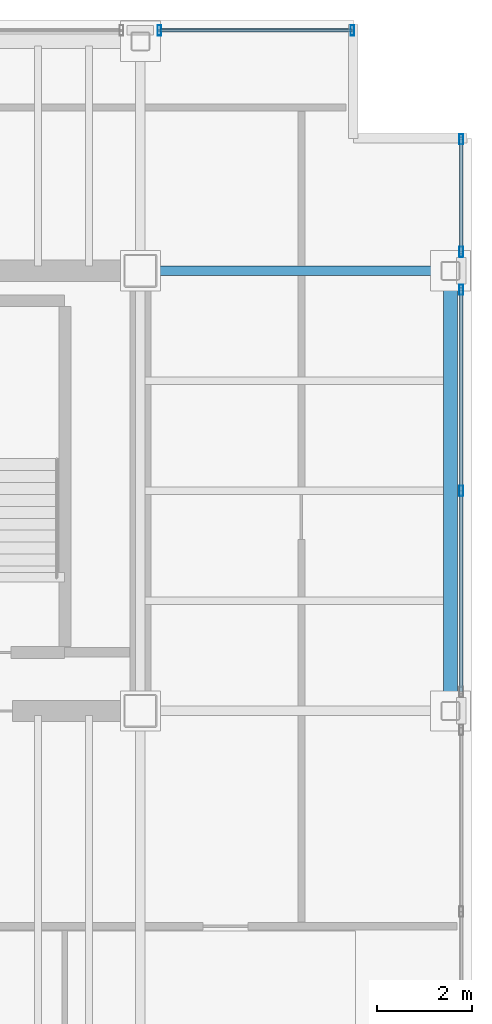
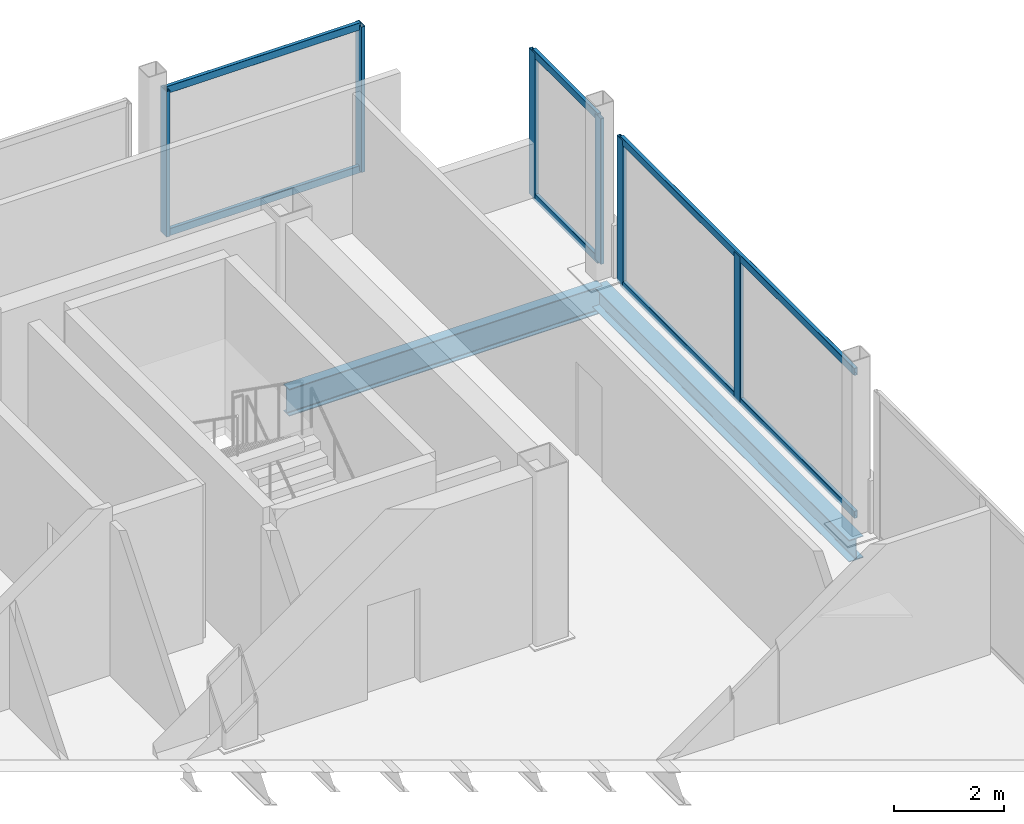
# One storey, part 12 of 17: 12 members, 2 beams, 3 elements without a shape of their own.
"""IFC4 building model written with IfcOpenShell, lengths in metres."""

from ifc_helpers import new_model, si_unit, direction, frame, origin, origin_2d, place, context, subcontext, project, spatial, hollow_rectangle, i_section, extrude, material, material_profile, profile_set, type_object, element, aggregate, save


model = new_model("IFC4")

# Units and contexts
model_context = context("Model", 3, precision=1e-05, world=origin(), true_north=direction((0.0, 1.0)))
body_context = subcontext(model_context, "Body", "Model", "MODEL_VIEW")
ifc_project = project(units=[si_unit("LENGTHUNIT", "METRE"), si_unit("AREAUNIT", "SQUARE_METRE"), si_unit("VOLUMEUNIT", "CUBIC_METRE"), si_unit("PLANEANGLEUNIT", "RADIAN"), si_unit("MASSUNIT", "GRAM", prefix="KILO")], contexts=[model_context])

# Site, building, storey
site_placement = place(None, origin())
site = spatial("IfcSite", under=ifc_project, at=site_placement, CompositionType="ELEMENT")
building_placement = place(site_placement, origin())
building = spatial("IfcBuilding", under=site, at=building_placement, Name="Noeulbin Bourse Tower", CompositionType="ELEMENT")
storey_placement = place(building_placement, frame((0.0, 0.0, 289.10009765625)))
storey = spatial("IfcBuildingStorey", under=building, at=storey_placement, Name="L72", CompositionType="ELEMENT", Elevation=289.10009765625)

# Beams
ifc_material_1 = material(Name="Steel S355", Category="steel")
ifc_material_profile_1 = material_profile(ifc_material_1, i_section(OverallWidth=0.199951171875, OverallDepth=0.60009765625, WebThickness=0.010986328125, FlangeThickness=0.01708984375, FilletRadius=0.02197265625, at=origin_2d()), Name="H-600x200x11x17", Category="LoadBearing")
ifc_profile_set_1 = profile_set([ifc_material_profile_1], Name="Steel S355")
beam_type_1 = type_object("IfcBeamType", Name="BM-GRD-600", PredefinedType="USERDEFINED", material=ifc_profile_set_1)
beam_1_placement = place(storey_placement, frame((44.0, 38.300048828125, -0.47998046875), z_axis=(1.0, 0.0, 0.0), x_axis=(0.0, 1.0, 0.0)))
element("IfcBeam", 1, at=beam_1_placement, inside=storey, type_object=beam_type_1, Name="Tower Primary Girder EW L72-3.4", ObjectType="GIRDER", PredefinedType="USERDEFINED", context=body_context, shape_type="SweptSolid", body=[
    extrude(i_section(OverallWidth=0.199951171875, OverallDepth=0.60009765625, WebThickness=0.010986328125, FlangeThickness=0.01708984375, FilletRadius=0.02197265625, at=origin_2d()), origin(), (0.0, 0.0, 1.0), 6.550048828125),
])
ifc_material_profile_2 = material_profile(ifc_material_1, i_section(OverallWidth=0.300048828125, OverallDepth=0.488037109375, WebThickness=0.010986328125, FlangeThickness=0.01806640625, FilletRadius=0.02197265625, at=origin_2d()), Name="H-488x300x11x18", Category="LoadBearing")
ifc_profile_set_2 = profile_set([ifc_material_profile_2], Name="Steel S355")
beam_type_2 = type_object("IfcBeamType", Name="BM-SPN-488", PredefinedType="SPANDREL", material=ifc_profile_set_2)
beam_2_placement = place(storey_placement, frame((50.550048828125, 29.0, -0.424072265625), z_axis=(0.0, 1.0, 0.0), x_axis=(-1.0, 0.0, 0.0)))
element("IfcBeam", 2, at=beam_2_placement, inside=storey, type_object=beam_type_2, Name="East Spandrel L72-1", PredefinedType="SPANDREL", context=body_context, shape_type="SweptSolid", body=[
    extrude(i_section(OverallWidth=0.300048828125, OverallDepth=0.488037109375, WebThickness=0.010986328125, FlangeThickness=0.01806640625, FilletRadius=0.02197265625, at=origin_2d()), origin(), (0.0, 0.0, 1.0), 9.300048828125),
])

# Curtain wall, members
ifc_material_2 = material(Name="High-Selectivity Low-Iron Glazing", Category="glass")
curtain_wall_type = type_object("IfcCurtainWallType", Name="CW-SYS-4", PredefinedType="NOTDEFINED", material=ifc_material_2)
curtain_wall_1_placement = place(storey_placement, origin())
curtain_wall_1 = element("IfcCurtainWall", 3, at=curtain_wall_1_placement, inside=storey, type_object=curtain_wall_type, Name="Unitised Curtain Wall CW-L72-N-S5", PredefinedType="NOTDEFINED")
ifc_material_3 = material(Name="Anodised Aluminium 6063-T6", Category="aluminium")
ifc_material_profile_3 = material_profile(ifc_material_3, hollow_rectangle(XDim=0.074951171875, YDim=0.219970703125, WallThickness=0.0048828125, InnerFilletRadius=0.00244140625, OuterFilletRadius=0.0048828125, at=origin_2d()), Name="ALU-MULL-75x220x5", Category="LoadBearing")
ifc_profile_set_3 = profile_set([ifc_material_profile_3], Name="Anodised Aluminium 6063-T6")
member_type_1 = type_object("IfcMemberType", Name="CW-SYS-4-MUL", PredefinedType="MULLION", material=ifc_profile_set_3)
member_1_placement = place(storey_placement, frame((44.39990234375, 43.3798828125, -0.02001953125), z_axis=(0.0, 0.0, 1.0), x_axis=(1.0, 0.0, 0.0)))
member_1 = element("IfcMember", 4, at=member_1_placement, type_object=member_type_1, Name="Curtain Wall Mullion CW-L72-N-S5-M00", PredefinedType="MULLION", context=body_context, shape_type="SweptSolid", body=[
    extrude(hollow_rectangle(XDim=0.074951171875, YDim=0.219970703125, WallThickness=0.0048828125, InnerFilletRadius=0.00244140625, OuterFilletRadius=0.0048828125, at=origin_2d()), origin(), (0.0, 0.0, 1.0), 3.219970703125),
])
member_2_placement = place(storey_placement, frame((48.47998046875, 43.3798828125, -0.02001953125), z_axis=(0.0, 0.0, 1.0), x_axis=(1.0, 0.0, 0.0)))
member_2 = element("IfcMember", 5, at=member_2_placement, type_object=member_type_1, Name="Curtain Wall Mullion CW-L72-N-S5-M01", PredefinedType="MULLION", context=body_context, shape_type="SweptSolid", body=[
    extrude(hollow_rectangle(XDim=0.074951171875, YDim=0.219970703125, WallThickness=0.0048828125, InnerFilletRadius=0.00244140625, OuterFilletRadius=0.0048828125, at=origin_2d()), origin(), (0.0, 0.0, 1.0), 3.219970703125),
])

curtain_wall_2_placement = place(storey_placement, origin())
curtain_wall_2 = element("IfcCurtainWall", 6, at=curtain_wall_2_placement, inside=storey, type_object=curtain_wall_type, Name="Unitised Curtain Wall CW-L72-E-S2", PredefinedType="NOTDEFINED")
member_3_placement = place(storey_placement, frame((50.780029296875, 33.64990234375, -0.02001953125), z_axis=(0.0, 0.0, 1.0), x_axis=(1.0, 0.0, 0.0)))
member_3 = element("IfcMember", 7, at=member_3_placement, type_object=member_type_1, Name="Curtain Wall Mullion CW-L72-E-S2-M01", PredefinedType="MULLION", context=body_context, shape_type="SweptSolid", body=[
    extrude(hollow_rectangle(XDim=0.074951171875, YDim=0.219970703125, WallThickness=0.0048828125, InnerFilletRadius=0.00244140625, OuterFilletRadius=0.0048828125, at=origin_2d()), origin(), (0.0, 0.0, 1.0), 3.219970703125),
])
member_4_placement = place(storey_placement, frame((50.780029296875, 37.89990234375, -0.02001953125), z_axis=(0.0, 0.0, 1.0), x_axis=(1.0, 0.0, 0.0)))
member_4 = element("IfcMember", 8, at=member_4_placement, type_object=member_type_1, Name="Curtain Wall Mullion CW-L72-E-S2-M02", PredefinedType="MULLION", context=body_context, shape_type="SweptSolid", body=[
    extrude(hollow_rectangle(XDim=0.074951171875, YDim=0.219970703125, WallThickness=0.0048828125, InnerFilletRadius=0.00244140625, OuterFilletRadius=0.0048828125, at=origin_2d()), origin(), (0.0, 0.0, 1.0), 3.219970703125),
])

curtain_wall_3_placement = place(storey_placement, origin())
curtain_wall_3 = element("IfcCurtainWall", 9, at=curtain_wall_3_placement, inside=storey, type_object=curtain_wall_type, Name="Unitised Curtain Wall CW-L72-E-S3", PredefinedType="NOTDEFINED")
member_5_placement = place(storey_placement, frame((50.780029296875, 38.699951171875, -0.02001953125), z_axis=(0.0, 0.0, 1.0), x_axis=(1.0, 0.0, 0.0)))
member_5 = element("IfcMember", 10, at=member_5_placement, type_object=member_type_1, Name="Curtain Wall Mullion CW-L72-E-S3-M00", PredefinedType="MULLION", context=body_context, shape_type="SweptSolid", body=[
    extrude(hollow_rectangle(XDim=0.074951171875, YDim=0.219970703125, WallThickness=0.0048828125, InnerFilletRadius=0.00244140625, OuterFilletRadius=0.0048828125, at=origin_2d()), origin(), (0.0, 0.0, 1.0), 3.219970703125),
])
member_6_placement = place(storey_placement, frame((50.780029296875, 41.080078125, -0.02001953125), z_axis=(0.0, 0.0, 1.0), x_axis=(1.0, 0.0, 0.0)))
member_6 = element("IfcMember", 11, at=member_6_placement, type_object=member_type_1, Name="Curtain Wall Mullion CW-L72-E-S3-M01", PredefinedType="MULLION", context=body_context, shape_type="SweptSolid", body=[
    extrude(hollow_rectangle(XDim=0.074951171875, YDim=0.219970703125, WallThickness=0.0048828125, InnerFilletRadius=0.00244140625, OuterFilletRadius=0.0048828125, at=origin_2d()), origin(), (0.0, 0.0, 1.0), 3.219970703125),
])

# Member
ifc_material_profile_4 = material_profile(ifc_material_3, hollow_rectangle(XDim=0.074951171875, YDim=0.159912109375, WallThickness=0.0048828125, InnerFilletRadius=0.00244140625, OuterFilletRadius=0.0048828125, at=origin_2d()), Name="ALU-TRAN-75x160x5", Category="LoadBearing")
ifc_profile_set_4 = profile_set([ifc_material_profile_4], Name="Anodised Aluminium 6063-T6")
member_type_2 = type_object("IfcMemberType", Name="CW-SYS-4-TRN", PredefinedType="USERDEFINED", material=ifc_profile_set_4)
member_7_placement = place(storey_placement, frame((44.409912109375, 43.3798828125, 0.010009765625), z_axis=(1.0, 0.0, 0.0), x_axis=(0.0, 1.0, 0.0)))
member_7 = element("IfcMember", 12, at=member_7_placement, type_object=member_type_2, Name="Curtain Wall Transom CW-L72-N-S5-T00", ObjectType="TRANSOM", PredefinedType="USERDEFINED", context=body_context, shape_type="SweptSolid", body=[
    extrude(hollow_rectangle(XDim=0.074951171875, YDim=0.159912109375, WallThickness=0.0048828125, InnerFilletRadius=0.00244140625, OuterFilletRadius=0.0048828125, at=origin_2d()), origin(), (0.0, 0.0, 1.0), 4.06005859375),
])

member_8_placement = place(storey_placement, frame((44.409912109375, 43.3798828125, 3.169921875), z_axis=(1.0, 0.0, 0.0), x_axis=(0.0, 1.0, 0.0)))
member_8 = element("IfcMember", 13, at=member_8_placement, type_object=member_type_2, Name="Curtain Wall Transom CW-L72-N-S5-T01", ObjectType="TRANSOM", PredefinedType="USERDEFINED", context=body_context, shape_type="SweptSolid", body=[
    extrude(hollow_rectangle(XDim=0.074951171875, YDim=0.159912109375, WallThickness=0.0048828125, InnerFilletRadius=0.00244140625, OuterFilletRadius=0.0048828125, at=origin_2d()), origin(), (0.0, 0.0, 1.0), 4.06005859375),
])

aggregate(curtain_wall_1, [member_1, member_2, member_7, member_8])

member_9_placement = place(storey_placement, frame((50.780029296875, 29.409912109375, 0.010009765625), z_axis=(0.0, 1.0, 0.0), x_axis=(-1.0, 0.0, 0.0)))
member_9 = element("IfcMember", 14, at=member_9_placement, type_object=member_type_2, Name="Curtain Wall Transom CW-L72-E-S2-T00", ObjectType="TRANSOM", PredefinedType="USERDEFINED", context=body_context, shape_type="SweptSolid", body=[
    extrude(hollow_rectangle(XDim=0.074951171875, YDim=0.159912109375, WallThickness=0.0048828125, InnerFilletRadius=0.00244140625, OuterFilletRadius=0.0048828125, at=origin_2d()), origin(), (0.0, 0.0, 1.0), 8.47998046875),
])

member_10_placement = place(storey_placement, frame((50.780029296875, 29.409912109375, 3.169921875), z_axis=(0.0, 1.0, 0.0), x_axis=(-1.0, 0.0, 0.0)))
member_10 = element("IfcMember", 15, at=member_10_placement, type_object=member_type_2, Name="Curtain Wall Transom CW-L72-E-S2-T01", ObjectType="TRANSOM", PredefinedType="USERDEFINED", context=body_context, shape_type="SweptSolid", body=[
    extrude(hollow_rectangle(XDim=0.074951171875, YDim=0.159912109375, WallThickness=0.0048828125, InnerFilletRadius=0.00244140625, OuterFilletRadius=0.0048828125, at=origin_2d()), origin(), (0.0, 0.0, 1.0), 8.47998046875),
])

aggregate(curtain_wall_2, [member_3, member_4, member_9, member_10])

member_11_placement = place(storey_placement, frame((50.780029296875, 38.7099609375, 0.010009765625), z_axis=(0.0, 1.0, 0.0), x_axis=(-1.0, 0.0, 0.0)))
member_11 = element("IfcMember", 16, at=member_11_placement, type_object=member_type_2, Name="Curtain Wall Transom CW-L72-E-S3-T00", ObjectType="TRANSOM", PredefinedType="USERDEFINED", context=body_context, shape_type="SweptSolid", body=[
    extrude(hollow_rectangle(XDim=0.074951171875, YDim=0.159912109375, WallThickness=0.0048828125, InnerFilletRadius=0.00244140625, OuterFilletRadius=0.0048828125, at=origin_2d()), origin(), (0.0, 0.0, 1.0), 2.360107421875),
])

member_12_placement = place(storey_placement, frame((50.780029296875, 38.7099609375, 3.169921875), z_axis=(0.0, 1.0, 0.0), x_axis=(-1.0, 0.0, 0.0)))
member_12 = element("IfcMember", 17, at=member_12_placement, type_object=member_type_2, Name="Curtain Wall Transom CW-L72-E-S3-T01", ObjectType="TRANSOM", PredefinedType="USERDEFINED", context=body_context, shape_type="SweptSolid", body=[
    extrude(hollow_rectangle(XDim=0.074951171875, YDim=0.159912109375, WallThickness=0.0048828125, InnerFilletRadius=0.00244140625, OuterFilletRadius=0.0048828125, at=origin_2d()), origin(), (0.0, 0.0, 1.0), 2.360107421875),
])

aggregate(curtain_wall_3, [member_5, member_6, member_11, member_12])

save(model, "model.ifc")
